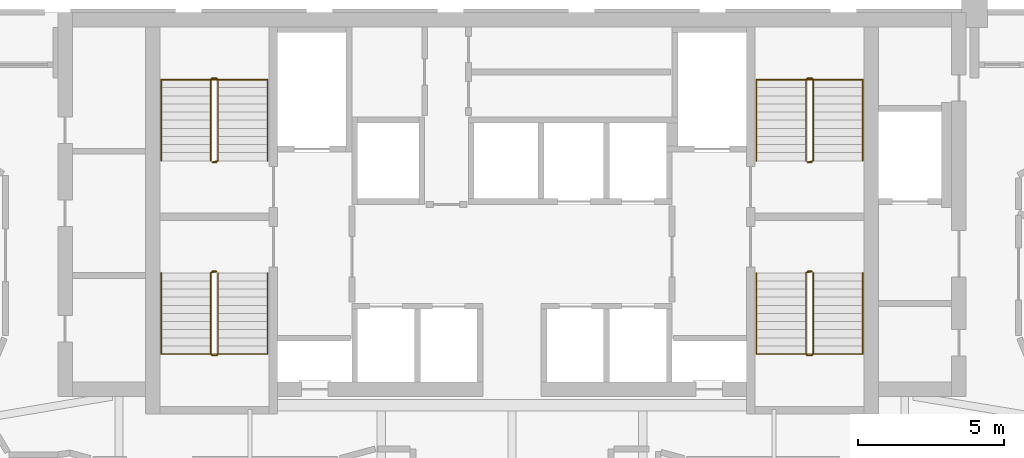
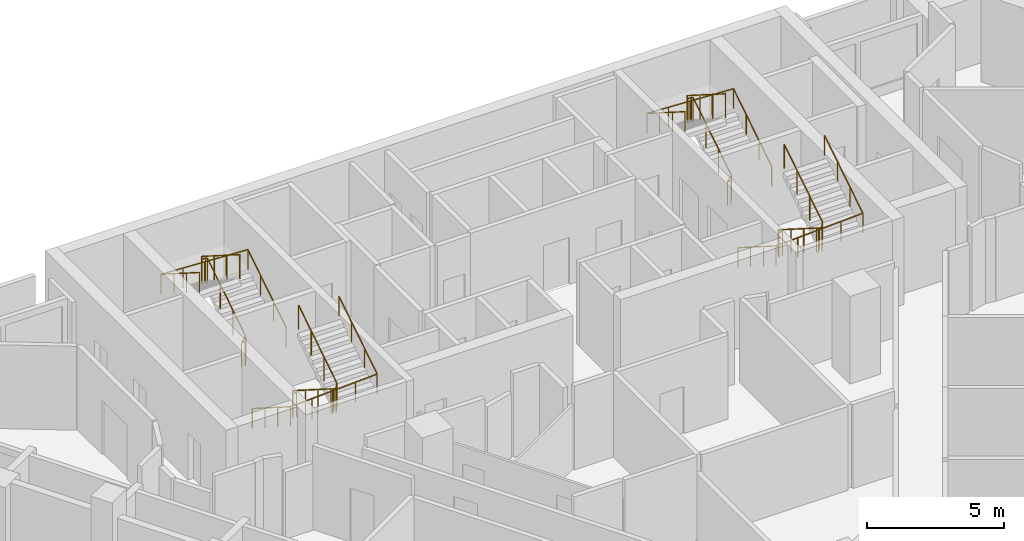
# One storey, part 9 of 9: 8 railings.
"""IFC4 building model written with IfcOpenShell, lengths in metres."""

from ifc_helpers import new_model, si_unit, direction, frame, origin, origin_2d, place, context, subcontext, project, spatial, circle, extrude, material, type_object, element, save


model = new_model("IFC4")

# Units and contexts
model_context = context("Model", 3, precision=1e-05, world=origin(), true_north=direction((0.0, 1.0)))
body_context = subcontext(model_context, "Body", "Model", "MODEL_VIEW")
ifc_project = project(units=[si_unit("LENGTHUNIT", "METRE"), si_unit("AREAUNIT", "SQUARE_METRE"), si_unit("VOLUMEUNIT", "CUBIC_METRE"), si_unit("PLANEANGLEUNIT", "RADIAN"), si_unit("MASSUNIT", "GRAM", prefix="KILO")], contexts=[model_context])

# Site, building, storey
site_placement = place(None, origin())
site = spatial("IfcSite", under=ifc_project, at=site_placement, CompositionType="ELEMENT")
building_placement = place(site_placement, origin())
building = spatial("IfcBuilding", under=site, at=building_placement, Name="Calabash Gate Tower", CompositionType="ELEMENT")
storey_placement = place(building_placement, frame((0.0, 0.0, 156.300048828125)))
storey = spatial("IfcBuildingStorey", under=building, at=storey_placement, Name="L36", CompositionType="ELEMENT", Elevation=156.300048828125)

# Railings
ifc_material_1 = material(Name="Black powder-coated steel balusters", Category="steel")
railing_type_1 = type_object("IfcRailingType", Name="Stair guard RL1100", PredefinedType="GUARDRAIL", material=ifc_material_1)
railing_1_placement = place(storey_placement, frame((-10.14990234375, 13.902587890625, 0.0)))
element("IfcRailing", 1, at=railing_1_placement, inside=storey, type_object=railing_type_1, Name="L36 ST1 stair guard 1", PredefinedType="GUARDRAIL", context=body_context, shape_type="SweptSolid", body=[
    extrude(circle(Radius=0.02392578125, at=origin_2d()), frame((0.0, 0.0, 1.076171875), z_axis=(-1.0, 0.0, 0.0), x_axis=(0.0, -1.0, 0.0)), (0.0, 0.0, 1.0), 0.150146484375),
    extrude(circle(Radius=0.02392578125, at=origin_2d()), frame((-0.150146484375, 0.0, 1.076171875), z_axis=(0.735524641326, 0.184105679453, 0.652003528208), x_axis=(-0.242814311512, 0.970072785993, 0.0)), (0.0, 0.0, 1.0), 0.271728515625),
    extrude(circle(Radius=0.02392578125, at=origin_2d()), frame((0.0498046875, 0.050048828125, 1.25341796875), z_axis=(0.0, 0.844041424197, 0.536277982245), x_axis=(-1.0, 0.0, 0.0)), (0.0, 0.0, 1.0), 3.3056640625),
    extrude(circle(Radius=0.02392578125, at=origin_2d()), frame((0.0498046875, 2.840087890625, 3.02587890625), z_axis=(-0.707106781187, 0.707106781187, 0.0), x_axis=(-0.707106781187, -0.707106781187, 0.0)), (0.0, 0.0, 1.0), 0.0703125),
    extrude(circle(Radius=0.02392578125, at=origin_2d()), frame((0.0, 2.889892578125, 3.02587890625), z_axis=(-1.0, 0.0, 0.0), x_axis=(0.0, -1.0, 0.0)), (0.0, 0.0, 1.0), 0.150146484375),
    extrude(circle(Radius=0.02392578125, at=origin_2d()), frame((-0.150146484375, 2.889892578125, 3.02587890625), z_axis=(-0.262321481514, -0.261041864531, 0.929001929653), x_axis=(0.705375805398, -0.708833529934, 0.0)), (0.0, 0.0, 1.0), 0.190673828125),
    extrude(circle(Radius=0.02392578125, at=origin_2d()), frame((-0.2001953125, 2.840087890625, 3.203125), z_axis=(0.0, -0.844041424197, 0.536277982245), x_axis=(1.0, 0.0, 0.0)), (0.0, 0.0, 1.0), 3.3056640625),
    extrude(circle(Radius=0.02099609375, at=origin_2d()), origin(), (0.0, 0.0, 1.0), 1.052001953125),
    extrude(circle(Radius=0.02099609375, at=origin_2d()), frame((-0.150146484375, 0.0, 0.0)), (0.0, 0.0, 1.0), 1.052001953125),
    extrude(circle(Radius=0.02099609375, at=origin_2d()), frame((0.0498046875, 0.050048828125, 0.17724609375)), (0.0, 0.0, 1.0), 1.052001953125),
    extrude(circle(Radius=0.02099609375, at=origin_2d()), frame((0.0498046875, 0.97998046875, 0.76806640625)), (0.0, 0.0, 1.0), 1.052001953125),
    extrude(circle(Radius=0.02099609375, at=origin_2d()), frame((0.0498046875, 1.91015625, 1.359130859375)), (0.0, 0.0, 1.0), 1.052001953125),
    extrude(circle(Radius=0.02099609375, at=origin_2d()), frame((0.0498046875, 2.840087890625, 1.949951171875)), (0.0, 0.0, 1.0), 1.052001953125),
    extrude(circle(Radius=0.02099609375, at=origin_2d()), frame((0.0, 2.889892578125, 1.949951171875)), (0.0, 0.0, 1.0), 1.052001953125),
    extrude(circle(Radius=0.02099609375, at=origin_2d()), frame((-0.150146484375, 2.889892578125, 1.949951171875)), (0.0, 0.0, 1.0), 1.052001953125),
    extrude(circle(Radius=0.02099609375, at=origin_2d()), frame((-0.2001953125, 2.840087890625, 2.127197265625)), (0.0, 0.0, 1.0), 1.052001953125),
    extrude(circle(Radius=0.02099609375, at=origin_2d()), frame((-0.2001953125, 1.91015625, 2.718017578125)), (0.0, 0.0, 1.0), 1.052001953125),
    extrude(circle(Radius=0.02099609375, at=origin_2d()), frame((-0.2001953125, 0.97998046875, 3.30908203125)), (0.0, 0.0, 1.0), 1.052001953125),
    extrude(circle(Radius=0.02099609375, at=origin_2d()), frame((-0.2001953125, 0.050048828125, 3.89990234375)), (0.0, 0.0, 1.0), 1.052001953125),
])
railing_2_placement = place(storey_placement, frame((-10.300048828125, 10.152587890625, 0.0)))
element("IfcRailing", 2, at=railing_2_placement, inside=storey, type_object=railing_type_1, Name="L36 ST2 stair guard 1", PredefinedType="GUARDRAIL", context=body_context, shape_type="SweptSolid", body=[
    extrude(circle(Radius=0.02392578125, at=origin_2d()), frame((0.0, 0.0, 1.076171875), z_axis=(1.0, 0.0, 0.0), x_axis=(0.0, 1.0, 0.0)), (0.0, 0.0, 1.0), 0.150146484375),
    extrude(circle(Radius=0.02392578125, at=origin_2d()), frame((0.150146484375, 0.0, 1.076171875), z_axis=(-0.735936453418, -0.183984113355, 0.651573006319), x_axis=(0.242535625036, -0.970142500145, 0.0)), (0.0, 0.0, 1.0), 0.27197265625),
    extrude(circle(Radius=0.02392578125, at=origin_2d()), frame((-0.050048828125, -0.050048828125, 1.25341796875), z_axis=(0.0, -0.844041424197, 0.536277982245), x_axis=(1.0, 0.0, 0.0)), (0.0, 0.0, 1.0), 3.3056640625),
    extrude(circle(Radius=0.02392578125, at=origin_2d()), frame((-0.050048828125, -2.840087890625, 3.02587890625), z_axis=(0.708833529934, -0.705375805398, 0.0), x_axis=(0.705375805398, 0.708833529934, 0.0)), (0.0, 0.0, 1.0), 0.070556640625),
    extrude(circle(Radius=0.02392578125, at=origin_2d()), frame((0.0, -2.889892578125, 3.02587890625), z_axis=(1.0, 0.0, 0.0), x_axis=(0.0, 1.0, 0.0)), (0.0, 0.0, 1.0), 0.150146484375),
    extrude(circle(Radius=0.02392578125, at=origin_2d()), frame((0.150146484375, -2.889892578125, 3.02587890625), z_axis=(0.261129318932, 0.261129318932, 0.929313164433), x_axis=(-0.707106781187, 0.707106781187, 0.0)), (0.0, 0.0, 1.0), 0.190673828125),
    extrude(circle(Radius=0.02392578125, at=origin_2d()), frame((0.199951171875, -2.840087890625, 3.203125), z_axis=(0.0, 0.844041424197, 0.536277982245), x_axis=(-1.0, 0.0, 0.0)), (0.0, 0.0, 1.0), 3.3056640625),
    extrude(circle(Radius=0.02099609375, at=origin_2d()), origin(), (0.0, 0.0, 1.0), 1.052001953125),
    extrude(circle(Radius=0.02099609375, at=origin_2d()), frame((0.150146484375, 0.0, 0.0)), (0.0, 0.0, 1.0), 1.052001953125),
    extrude(circle(Radius=0.02099609375, at=origin_2d()), frame((-0.050048828125, -0.050048828125, 0.17724609375)), (0.0, 0.0, 1.0), 1.052001953125),
    extrude(circle(Radius=0.02099609375, at=origin_2d()), frame((-0.050048828125, -0.97998046875, 0.76806640625)), (0.0, 0.0, 1.0), 1.052001953125),
    extrude(circle(Radius=0.02099609375, at=origin_2d()), frame((-0.050048828125, -1.91015625, 1.359130859375)), (0.0, 0.0, 1.0), 1.052001953125),
    extrude(circle(Radius=0.02099609375, at=origin_2d()), frame((-0.050048828125, -2.840087890625, 1.949951171875)), (0.0, 0.0, 1.0), 1.052001953125),
    extrude(circle(Radius=0.02099609375, at=origin_2d()), frame((0.0, -2.889892578125, 1.949951171875)), (0.0, 0.0, 1.0), 1.052001953125),
    extrude(circle(Radius=0.02099609375, at=origin_2d()), frame((0.150146484375, -2.889892578125, 1.949951171875)), (0.0, 0.0, 1.0), 1.052001953125),
    extrude(circle(Radius=0.02099609375, at=origin_2d()), frame((0.199951171875, -2.840087890625, 2.127197265625)), (0.0, 0.0, 1.0), 1.052001953125),
    extrude(circle(Radius=0.02099609375, at=origin_2d()), frame((0.199951171875, -1.91015625, 2.718017578125)), (0.0, 0.0, 1.0), 1.052001953125),
    extrude(circle(Radius=0.02099609375, at=origin_2d()), frame((0.199951171875, -0.97998046875, 3.30908203125)), (0.0, 0.0, 1.0), 1.052001953125),
    extrude(circle(Radius=0.02099609375, at=origin_2d()), frame((0.199951171875, -0.050048828125, 3.89990234375)), (0.0, 0.0, 1.0), 1.052001953125),
])
railing_3_placement = place(storey_placement, frame((10.300048828125, 13.902587890625, 0.0)))
element("IfcRailing", 3, at=railing_3_placement, inside=storey, type_object=railing_type_1, Name="L36 ST3 stair guard 1", PredefinedType="GUARDRAIL", context=body_context, shape_type="SweptSolid", body=[
    extrude(circle(Radius=0.02392578125, at=origin_2d()), frame((0.0, 0.0, 1.076171875), z_axis=(-1.0, 0.0, 0.0), x_axis=(0.0, -1.0, 0.0)), (0.0, 0.0, 1.0), 0.150146484375),
    extrude(circle(Radius=0.02392578125, at=origin_2d()), frame((-0.150146484375, 0.0, 1.076171875), z_axis=(0.735936453418, 0.183984113355, 0.651573006319), x_axis=(-0.242535625036, 0.970142500145, 0.0)), (0.0, 0.0, 1.0), 0.27197265625),
    extrude(circle(Radius=0.02392578125, at=origin_2d()), frame((0.050048828125, 0.050048828125, 1.25341796875), z_axis=(0.0, 0.844041424197, 0.536277982245), x_axis=(-1.0, 0.0, 0.0)), (0.0, 0.0, 1.0), 3.3056640625),
    extrude(circle(Radius=0.02392578125, at=origin_2d()), frame((0.050048828125, 2.840087890625, 3.02587890625), z_axis=(-0.708833529934, 0.705375805398, 0.0), x_axis=(-0.705375805398, -0.708833529934, 0.0)), (0.0, 0.0, 1.0), 0.070556640625),
    extrude(circle(Radius=0.02392578125, at=origin_2d()), frame((0.0, 2.889892578125, 3.02587890625), z_axis=(-1.0, 0.0, 0.0), x_axis=(0.0, -1.0, 0.0)), (0.0, 0.0, 1.0), 0.150146484375),
    extrude(circle(Radius=0.02392578125, at=origin_2d()), frame((-0.150146484375, 2.889892578125, 3.02587890625), z_axis=(-0.261129318932, -0.261129318932, 0.929313164433), x_axis=(0.707106781187, -0.707106781187, 0.0)), (0.0, 0.0, 1.0), 0.190673828125),
    extrude(circle(Radius=0.02392578125, at=origin_2d()), frame((-0.199951171875, 2.840087890625, 3.203125), z_axis=(0.0, -0.844041424197, 0.536277982245), x_axis=(1.0, 0.0, 0.0)), (0.0, 0.0, 1.0), 3.3056640625),
    extrude(circle(Radius=0.02099609375, at=origin_2d()), origin(), (0.0, 0.0, 1.0), 1.052001953125),
    extrude(circle(Radius=0.02099609375, at=origin_2d()), frame((-0.150146484375, 0.0, 0.0)), (0.0, 0.0, 1.0), 1.052001953125),
    extrude(circle(Radius=0.02099609375, at=origin_2d()), frame((0.050048828125, 0.050048828125, 0.17724609375)), (0.0, 0.0, 1.0), 1.052001953125),
    extrude(circle(Radius=0.02099609375, at=origin_2d()), frame((0.050048828125, 0.97998046875, 0.76806640625)), (0.0, 0.0, 1.0), 1.052001953125),
    extrude(circle(Radius=0.02099609375, at=origin_2d()), frame((0.050048828125, 1.91015625, 1.359130859375)), (0.0, 0.0, 1.0), 1.052001953125),
    extrude(circle(Radius=0.02099609375, at=origin_2d()), frame((0.050048828125, 2.840087890625, 1.949951171875)), (0.0, 0.0, 1.0), 1.052001953125),
    extrude(circle(Radius=0.02099609375, at=origin_2d()), frame((0.0, 2.889892578125, 1.949951171875)), (0.0, 0.0, 1.0), 1.052001953125),
    extrude(circle(Radius=0.02099609375, at=origin_2d()), frame((-0.150146484375, 2.889892578125, 1.949951171875)), (0.0, 0.0, 1.0), 1.052001953125),
    extrude(circle(Radius=0.02099609375, at=origin_2d()), frame((-0.199951171875, 2.840087890625, 2.127197265625)), (0.0, 0.0, 1.0), 1.052001953125),
    extrude(circle(Radius=0.02099609375, at=origin_2d()), frame((-0.199951171875, 1.91015625, 2.718017578125)), (0.0, 0.0, 1.0), 1.052001953125),
    extrude(circle(Radius=0.02099609375, at=origin_2d()), frame((-0.199951171875, 0.97998046875, 3.30908203125)), (0.0, 0.0, 1.0), 1.052001953125),
    extrude(circle(Radius=0.02099609375, at=origin_2d()), frame((-0.199951171875, 0.050048828125, 3.89990234375)), (0.0, 0.0, 1.0), 1.052001953125),
])
railing_4_placement = place(storey_placement, frame((10.14990234375, 10.152587890625, 0.0)))
element("IfcRailing", 4, at=railing_4_placement, inside=storey, type_object=railing_type_1, Name="L36 ST4 stair guard 1", PredefinedType="GUARDRAIL", context=body_context, shape_type="SweptSolid", body=[
    extrude(circle(Radius=0.02392578125, at=origin_2d()), frame((0.0, 0.0, 1.076171875), z_axis=(1.0, 0.0, 0.0), x_axis=(0.0, 1.0, 0.0)), (0.0, 0.0, 1.0), 0.150146484375),
    extrude(circle(Radius=0.02392578125, at=origin_2d()), frame((0.150146484375, 0.0, 1.076171875), z_axis=(-0.735524641326, -0.184105679453, 0.652003528208), x_axis=(0.242814311512, -0.970072785993, 0.0)), (0.0, 0.0, 1.0), 0.271728515625),
    extrude(circle(Radius=0.02392578125, at=origin_2d()), frame((-0.0498046875, -0.050048828125, 1.25341796875), z_axis=(0.0, -0.844041424197, 0.536277982245), x_axis=(1.0, 0.0, 0.0)), (0.0, 0.0, 1.0), 3.3056640625),
    extrude(circle(Radius=0.02392578125, at=origin_2d()), frame((-0.0498046875, -2.840087890625, 3.02587890625), z_axis=(0.707106781187, -0.707106781187, 0.0), x_axis=(0.707106781187, 0.707106781187, 0.0)), (0.0, 0.0, 1.0), 0.0703125),
    extrude(circle(Radius=0.02392578125, at=origin_2d()), frame((0.0, -2.889892578125, 3.02587890625), z_axis=(1.0, 0.0, 0.0), x_axis=(0.0, 1.0, 0.0)), (0.0, 0.0, 1.0), 0.150146484375),
    extrude(circle(Radius=0.02392578125, at=origin_2d()), frame((0.150146484375, -2.889892578125, 3.02587890625), z_axis=(0.262321481514, 0.261041864531, 0.929001929653), x_axis=(-0.705375805398, 0.708833529934, 0.0)), (0.0, 0.0, 1.0), 0.190673828125),
    extrude(circle(Radius=0.02392578125, at=origin_2d()), frame((0.2001953125, -2.840087890625, 3.203125), z_axis=(0.0, 0.844041424197, 0.536277982245), x_axis=(-1.0, 0.0, 0.0)), (0.0, 0.0, 1.0), 3.3056640625),
    extrude(circle(Radius=0.02099609375, at=origin_2d()), origin(), (0.0, 0.0, 1.0), 1.052001953125),
    extrude(circle(Radius=0.02099609375, at=origin_2d()), frame((0.150146484375, 0.0, 0.0)), (0.0, 0.0, 1.0), 1.052001953125),
    extrude(circle(Radius=0.02099609375, at=origin_2d()), frame((-0.0498046875, -0.050048828125, 0.17724609375)), (0.0, 0.0, 1.0), 1.052001953125),
    extrude(circle(Radius=0.02099609375, at=origin_2d()), frame((-0.0498046875, -0.97998046875, 0.76806640625)), (0.0, 0.0, 1.0), 1.052001953125),
    extrude(circle(Radius=0.02099609375, at=origin_2d()), frame((-0.0498046875, -1.91015625, 1.359130859375)), (0.0, 0.0, 1.0), 1.052001953125),
    extrude(circle(Radius=0.02099609375, at=origin_2d()), frame((-0.0498046875, -2.840087890625, 1.949951171875)), (0.0, 0.0, 1.0), 1.052001953125),
    extrude(circle(Radius=0.02099609375, at=origin_2d()), frame((0.0, -2.889892578125, 1.949951171875)), (0.0, 0.0, 1.0), 1.052001953125),
    extrude(circle(Radius=0.02099609375, at=origin_2d()), frame((0.150146484375, -2.889892578125, 1.949951171875)), (0.0, 0.0, 1.0), 1.052001953125),
    extrude(circle(Radius=0.02099609375, at=origin_2d()), frame((0.2001953125, -2.840087890625, 2.127197265625)), (0.0, 0.0, 1.0), 1.052001953125),
    extrude(circle(Radius=0.02099609375, at=origin_2d()), frame((0.2001953125, -1.91015625, 2.718017578125)), (0.0, 0.0, 1.0), 1.052001953125),
    extrude(circle(Radius=0.02099609375, at=origin_2d()), frame((0.2001953125, -0.97998046875, 3.30908203125)), (0.0, 0.0, 1.0), 1.052001953125),
    extrude(circle(Radius=0.02099609375, at=origin_2d()), frame((0.2001953125, -0.050048828125, 3.89990234375)), (0.0, 0.0, 1.0), 1.052001953125),
])
ifc_material_2 = material(Name="Black powder-coated steel tube 48 mm", Category="steel")
railing_type_2 = type_object("IfcRailingType", Name="Stair handrail RL900", PredefinedType="HANDRAIL", material=ifc_material_2)
railing_5_placement = place(storey_placement, frame((-8.39990234375, 13.95263671875, 0.17724609375)))
element("IfcRailing", 5, at=railing_5_placement, inside=storey, type_object=railing_type_2, Name="L36 ST1 stair handrail 1", PredefinedType="HANDRAIL", context=body_context, shape_type="SweptSolid", body=[
    extrude(circle(Radius=0.02392578125, at=origin_2d()), frame((0.0, 0.0, 0.8759765625), z_axis=(0.0, 0.844041424197, 0.536277982245), x_axis=(-1.0, 0.0, 0.0)), (0.0, 0.0, 1.0), 3.3056640625),
    extrude(circle(Radius=0.02392578125, at=origin_2d()), frame((0.0, 2.7900390625, 2.6484375), z_axis=(-0.998823110844, 0.0, 0.048501476722), x_axis=(0.0, -1.0, 0.0)), (0.0, 0.0, 1.0), 3.654541015625),
    extrude(circle(Radius=0.02392578125, at=origin_2d()), frame((-3.650146484375, 2.7900390625, 2.82568359375), z_axis=(0.0, -0.844041424197, 0.536277982245), x_axis=(1.0, 0.0, 0.0)), (0.0, 0.0, 1.0), 3.3056640625),
    extrude(circle(Radius=0.02099609375, at=origin_2d()), origin(), (0.0, 0.0, 1.0), 0.851806640625),
    extrude(circle(Radius=0.02099609375, at=origin_2d()), frame((0.0, 0.929931640625, 0.5908203125)), (0.0, 0.0, 1.0), 0.851806640625),
    extrude(circle(Radius=0.02099609375, at=origin_2d()), frame((0.0, 1.860107421875, 1.181884765625)), (0.0, 0.0, 1.0), 0.851806640625),
    extrude(circle(Radius=0.02099609375, at=origin_2d()), frame((0.0, 2.7900390625, 1.772705078125)), (0.0, 0.0, 1.0), 0.851806640625),
    extrude(circle(Radius=0.02099609375, at=origin_2d()), frame((-0.91259765625, 2.7900390625, 1.81689453125)), (0.0, 0.0, 1.0), 0.851806640625),
    extrude(circle(Radius=0.02099609375, at=origin_2d()), frame((-1.8251953125, 2.7900390625, 1.861328125)), (0.0, 0.0, 1.0), 0.851806640625),
    extrude(circle(Radius=0.02099609375, at=origin_2d()), frame((-2.737548828125, 2.7900390625, 1.90576171875)), (0.0, 0.0, 1.0), 0.851806640625),
    extrude(circle(Radius=0.02099609375, at=origin_2d()), frame((-3.650146484375, 2.7900390625, 1.949951171875)), (0.0, 0.0, 1.0), 0.851806640625),
    extrude(circle(Radius=0.02099609375, at=origin_2d()), frame((-3.650146484375, 1.860107421875, 2.540771484375)), (0.0, 0.0, 1.0), 0.851806640625),
    extrude(circle(Radius=0.02099609375, at=origin_2d()), frame((-3.650146484375, 0.929931640625, 3.1318359375)), (0.0, 0.0, 1.0), 0.851806640625),
    extrude(circle(Radius=0.02099609375, at=origin_2d()), frame((-3.650146484375, 0.0, 3.72265625)), (0.0, 0.0, 1.0), 0.851806640625),
])
railing_6_placement = place(storey_placement, frame((-12.050048828125, 10.1025390625, 0.17724609375)))
element("IfcRailing", 6, at=railing_6_placement, inside=storey, type_object=railing_type_2, Name="L36 ST2 stair handrail 1", PredefinedType="HANDRAIL", context=body_context, shape_type="SweptSolid", body=[
    extrude(circle(Radius=0.02392578125, at=origin_2d()), frame((0.0, 0.0, 0.8759765625), z_axis=(0.0, -0.844041424197, 0.536277982245), x_axis=(1.0, 0.0, 0.0)), (0.0, 0.0, 1.0), 3.3056640625),
    extrude(circle(Radius=0.02392578125, at=origin_2d()), frame((0.0, -2.7900390625, 2.6484375), z_axis=(0.998823110844, 0.0, 0.048501476722), x_axis=(0.0, 1.0, 0.0)), (0.0, 0.0, 1.0), 3.654541015625),
    extrude(circle(Radius=0.02392578125, at=origin_2d()), frame((3.650146484375, -2.7900390625, 2.82568359375), z_axis=(0.0, 0.844041424197, 0.536277982245), x_axis=(-1.0, 0.0, 0.0)), (0.0, 0.0, 1.0), 3.3056640625),
    extrude(circle(Radius=0.02099609375, at=origin_2d()), origin(), (0.0, 0.0, 1.0), 0.851806640625),
    extrude(circle(Radius=0.02099609375, at=origin_2d()), frame((0.0, -0.929931640625, 0.5908203125)), (0.0, 0.0, 1.0), 0.851806640625),
    extrude(circle(Radius=0.02099609375, at=origin_2d()), frame((0.0, -1.860107421875, 1.181884765625)), (0.0, 0.0, 1.0), 0.851806640625),
    extrude(circle(Radius=0.02099609375, at=origin_2d()), frame((0.0, -2.7900390625, 1.772705078125)), (0.0, 0.0, 1.0), 0.851806640625),
    extrude(circle(Radius=0.02099609375, at=origin_2d()), frame((0.91259765625, -2.7900390625, 1.81689453125)), (0.0, 0.0, 1.0), 0.851806640625),
    extrude(circle(Radius=0.02099609375, at=origin_2d()), frame((1.8251953125, -2.7900390625, 1.861328125)), (0.0, 0.0, 1.0), 0.851806640625),
    extrude(circle(Radius=0.02099609375, at=origin_2d()), frame((2.737548828125, -2.7900390625, 1.90576171875)), (0.0, 0.0, 1.0), 0.851806640625),
    extrude(circle(Radius=0.02099609375, at=origin_2d()), frame((3.650146484375, -2.7900390625, 1.949951171875)), (0.0, 0.0, 1.0), 0.851806640625),
    extrude(circle(Radius=0.02099609375, at=origin_2d()), frame((3.650146484375, -1.860107421875, 2.540771484375)), (0.0, 0.0, 1.0), 0.851806640625),
    extrude(circle(Radius=0.02099609375, at=origin_2d()), frame((3.650146484375, -0.929931640625, 3.1318359375)), (0.0, 0.0, 1.0), 0.851806640625),
    extrude(circle(Radius=0.02099609375, at=origin_2d()), frame((3.650146484375, 0.0, 3.72265625)), (0.0, 0.0, 1.0), 0.851806640625),
])
railing_7_placement = place(storey_placement, frame((12.050048828125, 13.95263671875, 0.17724609375)))
element("IfcRailing", 7, at=railing_7_placement, inside=storey, type_object=railing_type_2, Name="L36 ST3 stair handrail 1", PredefinedType="HANDRAIL", context=body_context, shape_type="SweptSolid", body=[
    extrude(circle(Radius=0.02392578125, at=origin_2d()), frame((0.0, 0.0, 0.8759765625), z_axis=(0.0, 0.844041424197, 0.536277982245), x_axis=(-1.0, 0.0, 0.0)), (0.0, 0.0, 1.0), 3.3056640625),
    extrude(circle(Radius=0.02392578125, at=origin_2d()), frame((0.0, 2.7900390625, 2.6484375), z_axis=(-0.998823110844, 0.0, 0.048501476722), x_axis=(0.0, -1.0, 0.0)), (0.0, 0.0, 1.0), 3.654541015625),
    extrude(circle(Radius=0.02392578125, at=origin_2d()), frame((-3.650146484375, 2.7900390625, 2.82568359375), z_axis=(0.0, -0.844041424197, 0.536277982245), x_axis=(1.0, 0.0, 0.0)), (0.0, 0.0, 1.0), 3.3056640625),
    extrude(circle(Radius=0.02099609375, at=origin_2d()), origin(), (0.0, 0.0, 1.0), 0.851806640625),
    extrude(circle(Radius=0.02099609375, at=origin_2d()), frame((0.0, 0.929931640625, 0.5908203125)), (0.0, 0.0, 1.0), 0.851806640625),
    extrude(circle(Radius=0.02099609375, at=origin_2d()), frame((0.0, 1.860107421875, 1.181884765625)), (0.0, 0.0, 1.0), 0.851806640625),
    extrude(circle(Radius=0.02099609375, at=origin_2d()), frame((0.0, 2.7900390625, 1.772705078125)), (0.0, 0.0, 1.0), 0.851806640625),
    extrude(circle(Radius=0.02099609375, at=origin_2d()), frame((-0.91259765625, 2.7900390625, 1.81689453125)), (0.0, 0.0, 1.0), 0.851806640625),
    extrude(circle(Radius=0.02099609375, at=origin_2d()), frame((-1.8251953125, 2.7900390625, 1.861328125)), (0.0, 0.0, 1.0), 0.851806640625),
    extrude(circle(Radius=0.02099609375, at=origin_2d()), frame((-2.737548828125, 2.7900390625, 1.90576171875)), (0.0, 0.0, 1.0), 0.851806640625),
    extrude(circle(Radius=0.02099609375, at=origin_2d()), frame((-3.650146484375, 2.7900390625, 1.949951171875)), (0.0, 0.0, 1.0), 0.851806640625),
    extrude(circle(Radius=0.02099609375, at=origin_2d()), frame((-3.650146484375, 1.860107421875, 2.540771484375)), (0.0, 0.0, 1.0), 0.851806640625),
    extrude(circle(Radius=0.02099609375, at=origin_2d()), frame((-3.650146484375, 0.929931640625, 3.1318359375)), (0.0, 0.0, 1.0), 0.851806640625),
    extrude(circle(Radius=0.02099609375, at=origin_2d()), frame((-3.650146484375, 0.0, 3.72265625)), (0.0, 0.0, 1.0), 0.851806640625),
])
railing_8_placement = place(storey_placement, frame((8.39990234375, 10.1025390625, 0.17724609375)))
element("IfcRailing", 8, at=railing_8_placement, inside=storey, type_object=railing_type_2, Name="L36 ST4 stair handrail 1", PredefinedType="HANDRAIL", context=body_context, shape_type="SweptSolid", body=[
    extrude(circle(Radius=0.02392578125, at=origin_2d()), frame((0.0, 0.0, 0.8759765625), z_axis=(0.0, -0.844041424197, 0.536277982245), x_axis=(1.0, 0.0, 0.0)), (0.0, 0.0, 1.0), 3.3056640625),
    extrude(circle(Radius=0.02392578125, at=origin_2d()), frame((0.0, -2.7900390625, 2.6484375), z_axis=(0.998823110844, 0.0, 0.048501476722), x_axis=(0.0, 1.0, 0.0)), (0.0, 0.0, 1.0), 3.654541015625),
    extrude(circle(Radius=0.02392578125, at=origin_2d()), frame((3.650146484375, -2.7900390625, 2.82568359375), z_axis=(0.0, 0.844041424197, 0.536277982245), x_axis=(-1.0, 0.0, 0.0)), (0.0, 0.0, 1.0), 3.3056640625),
    extrude(circle(Radius=0.02099609375, at=origin_2d()), origin(), (0.0, 0.0, 1.0), 0.851806640625),
    extrude(circle(Radius=0.02099609375, at=origin_2d()), frame((0.0, -0.929931640625, 0.5908203125)), (0.0, 0.0, 1.0), 0.851806640625),
    extrude(circle(Radius=0.02099609375, at=origin_2d()), frame((0.0, -1.860107421875, 1.181884765625)), (0.0, 0.0, 1.0), 0.851806640625),
    extrude(circle(Radius=0.02099609375, at=origin_2d()), frame((0.0, -2.7900390625, 1.772705078125)), (0.0, 0.0, 1.0), 0.851806640625),
    extrude(circle(Radius=0.02099609375, at=origin_2d()), frame((0.91259765625, -2.7900390625, 1.81689453125)), (0.0, 0.0, 1.0), 0.851806640625),
    extrude(circle(Radius=0.02099609375, at=origin_2d()), frame((1.8251953125, -2.7900390625, 1.861328125)), (0.0, 0.0, 1.0), 0.851806640625),
    extrude(circle(Radius=0.02099609375, at=origin_2d()), frame((2.737548828125, -2.7900390625, 1.90576171875)), (0.0, 0.0, 1.0), 0.851806640625),
    extrude(circle(Radius=0.02099609375, at=origin_2d()), frame((3.650146484375, -2.7900390625, 1.949951171875)), (0.0, 0.0, 1.0), 0.851806640625),
    extrude(circle(Radius=0.02099609375, at=origin_2d()), frame((3.650146484375, -1.860107421875, 2.540771484375)), (0.0, 0.0, 1.0), 0.851806640625),
    extrude(circle(Radius=0.02099609375, at=origin_2d()), frame((3.650146484375, -0.929931640625, 3.1318359375)), (0.0, 0.0, 1.0), 0.851806640625),
    extrude(circle(Radius=0.02099609375, at=origin_2d()), frame((3.650146484375, 0.0, 3.72265625)), (0.0, 0.0, 1.0), 0.851806640625),
])

save(model, "model.ifc")
